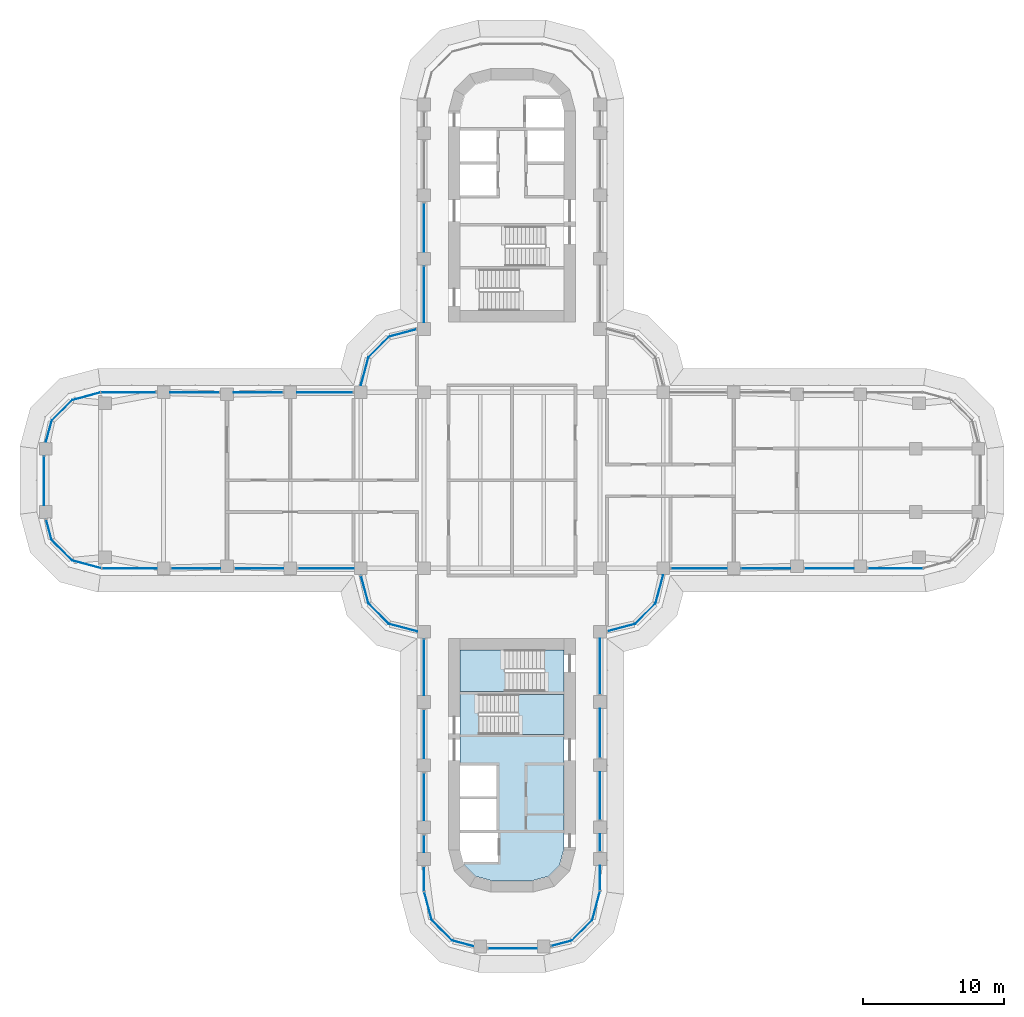
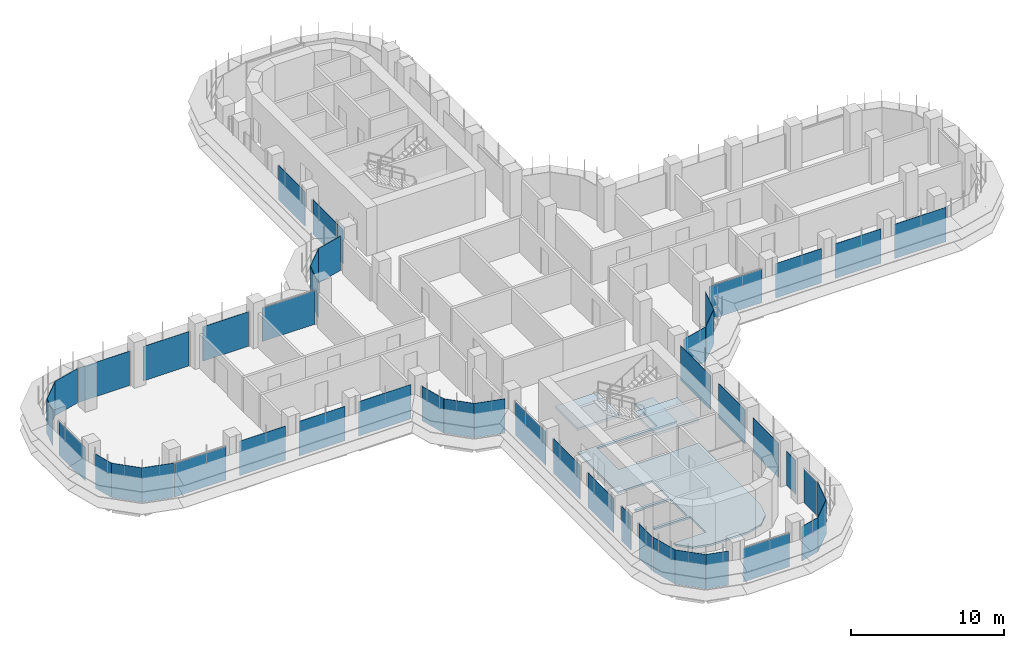
# One storey, part 12 of 22: 47 plates, 3 slabs, 31 elements without a shape of their own.
"""IFC4 building model written with IfcOpenShell, lengths in metres."""

from ifc_helpers import new_model, si_unit, direction, frame, origin, place, context, subcontext, project, spatial, polyline, outline, extrude, source, transform, mapped, material, layer, layer_set, type_object, element, aggregate, save


model = new_model("IFC4")

# Units and contexts
model_context = context("Model", 3, precision=1e-05, world=origin(), true_north=direction((0.0, 1.0)))
body_context = subcontext(model_context, "Body", "Model", "MODEL_VIEW")
ifc_project = project(units=[si_unit("LENGTHUNIT", "METRE"), si_unit("AREAUNIT", "SQUARE_METRE"), si_unit("VOLUMEUNIT", "CUBIC_METRE"), si_unit("PLANEANGLEUNIT", "RADIAN"), si_unit("MASSUNIT", "GRAM", prefix="KILO")], contexts=[model_context])

# Site, building, storey
site_placement = place(None, origin())
site = spatial("IfcSite", under=ifc_project, at=site_placement, CompositionType="ELEMENT")
building_placement = place(site_placement, origin())
building = spatial("IfcBuilding", under=site, at=building_placement, Name="Zarbagh Exchange Tower", CompositionType="ELEMENT")
storey_placement = place(building_placement, frame((0.0, 0.0, 113.199951171875)))
storey = spatial("IfcBuildingStorey", under=building, at=storey_placement, Name="L26", CompositionType="ELEMENT", Elevation=113.199951171875)

# Slab
ifc_material_1 = material(Name="Concrete C40/50", Category="concrete")
ifc_layer_1 = layer(ifc_material_1, 0.14990234375)
ifc_layer_set_1 = layer_set([ifc_layer_1], Name="Core floor slab 150 C40/50")
slab_type_1 = type_object("IfcSlabType", Name="Core floor slab 150 C40/50", PredefinedType="FLOOR", material=ifc_layer_set_1)
slab_1_placement = place(storey_placement, frame((0.0, 0.0, -0.14990234375)))
element("IfcSlab", 1, at=slab_1_placement, inside=storey, type_object=slab_type_1, Name="S17 core S", PredefinedType="FLOOR", context=body_context, shape_type="SweptSolid", body=[
    extrude(outline(polyline([(-2.5859375, -28.130859375), (-3.380859375, -27.3359375), (-3.646484375, -26.3447265625), (-3.444091796875, -27.10009765625), (-1.0, -27.10009765625), (-1.0, -25.050048828125), (-3.699951171875, -25.050048828125), (-3.699951171875, -24.85009765625), (-1.10009765625, -24.85009765625), (-1.10009765625, -22.64990234375), (-3.699951171875, -22.64990234375), (-3.699951171875, -22.449951171875), (-1.10009765625, -22.449951171875), (-1.10009765625, -20.25), (-3.699951171875, -20.25), (-3.699951171875, -15.0), (2.300048828125, -15.0), (2.300048828125, -12.050048828125), (3.699951171875, -12.050048828125), (3.699951171875, -15.199951171875), (-2.35009765625, -15.199951171875), (-2.35009765625, -18.050048828125), (3.699951171875, -18.050048828125), (3.699951171875, -26.144775390625), (3.380859375, -27.3359375), (2.5859375, -28.130859375), (1.394775390625, -28.449951171875), (-1.394775390625, -28.449951171875), (-2.5859375, -28.130859375)])), origin(), (0.0, 0.0, 1.0), 0.14990234375),
])

# Stair, slab
stair_type = type_object("IfcStairType", Name="Exit stair two-flight half-turn", PredefinedType="HALF_TURN_STAIR", material=ifc_material_1)
stair_1_placement = place(storey_placement, origin())
stair_1 = element("IfcStair", 2, at=stair_1_placement, inside=storey, type_object=stair_type, Name="exit stair ST3", PredefinedType="HALF_TURN_STAIR")
ifc_layer_2 = layer(ifc_material_1, 0.199951171875)
ifc_layer_set_2 = layer_set([ifc_layer_2], Name="Stair landing 200 mm")
slab_type_2 = type_object("IfcSlabType", Name="Stair landing 200 mm", PredefinedType="LANDING", material=ifc_layer_set_2)
slab_2_placement = place(storey_placement, frame((0.0, 0.0, 1.699951171875)))
slab_2 = element("IfcSlab", 3, at=slab_2_placement, type_object=slab_type_2, Name="ST3 landing 1", PredefinedType="LANDING", context=body_context, shape_type="SweptSolid", body=[
    extrude(outline(polyline([(0.449951171875, -18.050048828125), (3.699951171875, -18.050048828125), (3.699951171875, -15.199951171875), (0.449951171875, -15.199951171875), (0.449951171875, -18.050048828125)])), origin(), (0.0, 0.0, 1.0), 0.2001953125),
])
aggregate(stair_1, [slab_2])

stair_2_placement = place(storey_placement, origin())
stair_2 = element("IfcStair", 4, at=stair_2_placement, inside=storey, type_object=stair_type, Name="exit stair ST4", PredefinedType="HALF_TURN_STAIR")
slab_3_placement = place(storey_placement, frame((0.0, 0.0, 1.699951171875)))
slab_3 = element("IfcSlab", 5, at=slab_3_placement, type_object=slab_type_2, Name="ST4 landing 1", PredefinedType="LANDING", context=body_context, shape_type="SweptSolid", body=[
    extrude(outline(polyline([(-0.5, -12.050048828125), (-3.699951171875, -12.050048828125), (-3.699951171875, -15.0), (-0.5, -15.0), (-0.5, -12.050048828125)])), origin(), (0.0, 0.0, 1.0), 0.2001953125),
])
aggregate(stair_2, [slab_3])

# Curtain wall, plate
ifc_material_2 = material(Name="Anodised aluminium frame and glazing", Category="aluminium")
curtain_wall_type = type_object("IfcCurtainWallType", Name="CWA Ribbon glazing, lower zones", PredefinedType="NOTDEFINED", material=ifc_material_2)
curtain_wall_1_placement = place(storey_placement, origin())
curtain_wall_1 = element("IfcCurtainWall", 6, at=curtain_wall_1_placement, inside=storey, type_object=curtain_wall_type, Name="CWA01 curtain wall", PredefinedType="NOTDEFINED")
ifc_material_3 = material(Name="Low-e double glazed unit, 6+12+6 mm")
ifc_layer_3 = layer(ifc_material_3, 0.028076171875)
ifc_layer_set_3 = layer_set([ifc_layer_3], Name="PAA Glazing panel, Low-e double glazed unit, 6+12+6 mm")
plate_type = type_object("IfcPlateType", Name="PAA Glazing panel, Low-e double glazed unit, 6+12+6 mm", PredefinedType="CURTAIN_PANEL", material=ifc_layer_set_3)
shared_shape_1 = source(origin(), body_context, "Body", "SweptSolid", [
    extrude(outline(polyline([(0.0, -0.013916015625), (1.494140625, -0.013916015625), (1.494140625, 0.013916015625), (0.0, 0.013916015625), (0.0, -0.013916015625)])), origin(), (0.0, 0.0, 1.0), 2.75),
])
placement = place(storey_placement, origin())
plate_1 = element("IfcPlate", 7, at=placement, type_object=plate_type, Name="CWA01 glazing panel 1.1", PredefinedType="CURTAIN_PANEL", context=body_context, shape_type="MappedRepresentation", body=[
    mapped(shared_shape_1, transform((2.7978515625, -33.08544921875, 0.0), x_axis=(0.965924289636, 0.258824779902, 0.0), y_axis=(-0.258824779902, 0.965924289636, 0.0), z_axis=(0.0, 0.0, 1.0))),
])
aggregate(curtain_wall_1, [plate_1])

curtain_wall_2_placement = place(storey_placement, origin())
curtain_wall_2 = element("IfcCurtainWall", 8, at=curtain_wall_2_placement, inside=storey, type_object=curtain_wall_type, Name="CWA37 curtain wall", PredefinedType="NOTDEFINED")
plate_2 = element("IfcPlate", 9, at=placement, type_object=plate_type, Name="CWA37 glazing panel 1.1", PredefinedType="CURTAIN_PANEL", context=body_context, shape_type="MappedRepresentation", body=[
    mapped(shared_shape_1, transform((-33.08544921875, -2.7978515625, 0.0), x_axis=(0.258824779902, -0.965924289636, 0.0), y_axis=(0.965924289636, 0.258824779902, 0.0), z_axis=(0.0, 0.0, 1.0))),
])
aggregate(curtain_wall_2, [plate_2])

curtain_wall_3_placement = place(storey_placement, origin())
curtain_wall_3 = element("IfcCurtainWall", 10, at=curtain_wall_3_placement, inside=storey, type_object=curtain_wall_type, Name="CWA02 curtain wall", PredefinedType="NOTDEFINED")
shared_shape_2 = source(origin(), body_context, "Body", "SweptSolid", [
    extrude(outline(polyline([(0.0, -0.013916015625), (2.061279296875, -0.013916015625), (2.061279296875, 0.013916015625), (0.0, 0.013916015625), (0.0, -0.013916015625)])), origin(), (0.0, 0.0, 1.0), 2.75),
])
plate_3 = element("IfcPlate", 11, at=placement, type_object=plate_type, Name="CWA02 glazing panel 1.1", PredefinedType="CURTAIN_PANEL", context=body_context, shape_type="MappedRepresentation", body=[
    mapped(shared_shape_2, transform((4.2412109375, -32.69873046875, 0.0), x_axis=(0.707106781187, 0.707106781187, 0.0), y_axis=(-0.707106781187, 0.707106781187, 0.0), z_axis=(0.0, 0.0, 1.0))),
])
aggregate(curtain_wall_3, [plate_3])

curtain_wall_4_placement = place(storey_placement, origin())
curtain_wall_4 = element("IfcCurtainWall", 12, at=curtain_wall_4_placement, inside=storey, type_object=curtain_wall_type, Name="CWA06 curtain wall", PredefinedType="NOTDEFINED")
plate_4 = element("IfcPlate", 13, at=placement, type_object=plate_type, Name="CWA06 glazing panel 1.1", PredefinedType="CURTAIN_PANEL", context=body_context, shape_type="MappedRepresentation", body=[
    mapped(shared_shape_2, transform((8.7412109375, -10.19873046875, 0.0), x_axis=(0.707106781187, 0.707106781187, 0.0), y_axis=(-0.707106781187, 0.707106781187, 0.0), z_axis=(0.0, 0.0, 1.0))),
])
aggregate(curtain_wall_4, [plate_4])

curtain_wall_5_placement = place(storey_placement, origin())
curtain_wall_5 = element("IfcCurtainWall", 14, at=curtain_wall_5_placement, inside=storey, type_object=curtain_wall_type, Name="CWA30 curtain wall", PredefinedType="NOTDEFINED")
plate_5 = element("IfcPlate", 15, at=placement, type_object=plate_type, Name="CWA30 glazing panel 1.1", PredefinedType="CURTAIN_PANEL", context=body_context, shape_type="MappedRepresentation", body=[
    mapped(shared_shape_2, transform((-8.7412109375, 10.19873046875, 0.0), x_axis=(-0.707106781187, -0.707106781187, 0.0), y_axis=(0.707106781187, -0.707106781187, 0.0), z_axis=(0.0, 0.0, 1.0))),
])
aggregate(curtain_wall_5, [plate_5])

curtain_wall_6_placement = place(storey_placement, origin())
curtain_wall_6 = element("IfcCurtainWall", 16, at=curtain_wall_6_placement, inside=storey, type_object=curtain_wall_type, Name="CWA34 curtain wall", PredefinedType="NOTDEFINED")
plate_6 = element("IfcPlate", 17, at=placement, type_object=plate_type, Name="CWA34 glazing panel 1.1", PredefinedType="CURTAIN_PANEL", context=body_context, shape_type="MappedRepresentation", body=[
    mapped(shared_shape_2, transform((-31.2412109375, 5.69873046875, 0.0), x_axis=(-0.707106781187, -0.707106781187, 0.0), y_axis=(0.707106781187, -0.707106781187, 0.0), z_axis=(0.0, 0.0, 1.0))),
])
aggregate(curtain_wall_6, [plate_6])

curtain_wall_7_placement = place(storey_placement, origin())
curtain_wall_7 = element("IfcCurtainWall", 18, at=curtain_wall_7_placement, inside=storey, type_object=curtain_wall_type, Name="CWA38 curtain wall", PredefinedType="NOTDEFINED")
plate_7 = element("IfcPlate", 19, at=placement, type_object=plate_type, Name="CWA38 glazing panel 1.1", PredefinedType="CURTAIN_PANEL", context=body_context, shape_type="MappedRepresentation", body=[
    mapped(shared_shape_2, transform((-32.69873046875, -4.2412109375, 0.0), x_axis=(0.707106781187, -0.707106781187, 0.0), y_axis=(0.707106781187, 0.707106781187, 0.0), z_axis=(0.0, 0.0, 1.0))),
])
aggregate(curtain_wall_7, [plate_7])

curtain_wall_8_placement = place(storey_placement, origin())
curtain_wall_8 = element("IfcCurtainWall", 20, at=curtain_wall_8_placement, inside=storey, type_object=curtain_wall_type, Name="CWA42 curtain wall", PredefinedType="NOTDEFINED")
plate_8 = element("IfcPlate", 21, at=placement, type_object=plate_type, Name="CWA42 glazing panel 1.1", PredefinedType="CURTAIN_PANEL", context=body_context, shape_type="MappedRepresentation", body=[
    mapped(shared_shape_2, transform((-10.19873046875, -8.7412109375, 0.0), x_axis=(0.707106781187, -0.707106781187, 0.0), y_axis=(0.707106781187, 0.707106781187, 0.0), z_axis=(0.0, 0.0, 1.0))),
])
aggregate(curtain_wall_8, [plate_8])

curtain_wall_9_placement = place(storey_placement, origin())
curtain_wall_9 = element("IfcCurtainWall", 22, at=curtain_wall_9_placement, inside=storey, type_object=curtain_wall_type, Name="CWA46 curtain wall", PredefinedType="NOTDEFINED")
plate_9 = element("IfcPlate", 23, at=placement, type_object=plate_type, Name="CWA46 glazing panel 1.1", PredefinedType="CURTAIN_PANEL", context=body_context, shape_type="MappedRepresentation", body=[
    mapped(shared_shape_2, transform((-5.69873046875, -31.2412109375, 0.0), x_axis=(0.707106781187, -0.707106781187, 0.0), y_axis=(0.707106781187, 0.707106781187, 0.0), z_axis=(0.0, 0.0, 1.0))),
])
aggregate(curtain_wall_9, [plate_9])

curtain_wall_10_placement = place(storey_placement, origin())
curtain_wall_10 = element("IfcCurtainWall", 24, at=curtain_wall_10_placement, inside=storey, type_object=curtain_wall_type, Name="CWA03 curtain wall", PredefinedType="NOTDEFINED")
shared_shape_3 = source(origin(), body_context, "Body", "SweptSolid", [
    extrude(outline(polyline([(0.0, -0.013916015625), (2.129638671875, -0.013916015625), (2.129638671875, 0.013916015625), (0.0, 0.013916015625), (0.0, -0.013916015625)])), origin(), (0.0, 0.0, 1.0), 2.75),
])
plate_10 = element("IfcPlate", 25, at=placement, type_object=plate_type, Name="CWA03 glazing panel 1.1", PredefinedType="CURTAIN_PANEL", context=body_context, shape_type="MappedRepresentation", body=[
    mapped(shared_shape_3, transform((5.69873046875, -31.2412109375, 0.0), x_axis=(0.258824779902, 0.965924289636, 0.0), y_axis=(-0.965924289636, 0.258824779902, 0.0), z_axis=(0.0, 0.0, 1.0))),
])
aggregate(curtain_wall_10, [plate_10])

curtain_wall_11_placement = place(storey_placement, origin())
curtain_wall_11 = element("IfcCurtainWall", 26, at=curtain_wall_11_placement, inside=storey, type_object=curtain_wall_type, Name="CWA39 curtain wall", PredefinedType="NOTDEFINED")
plate_11 = element("IfcPlate", 27, at=placement, type_object=plate_type, Name="CWA39 glazing panel 1.1", PredefinedType="CURTAIN_PANEL", context=body_context, shape_type="MappedRepresentation", body=[
    mapped(shared_shape_3, transform((-31.2412109375, -5.69873046875, 0.0), x_axis=(0.965924289636, -0.258824779902, 0.0), y_axis=(0.258824779902, 0.965924289636, 0.0), z_axis=(0.0, 0.0, 1.0))),
])
aggregate(curtain_wall_11, [plate_11])

# Curtain wall, plates
curtain_wall_12_placement = place(storey_placement, origin())
curtain_wall_12 = element("IfcCurtainWall", 28, at=curtain_wall_12_placement, inside=storey, type_object=curtain_wall_type, Name="CWA04 curtain wall", PredefinedType="NOTDEFINED")
shared_shape_4 = source(origin(), body_context, "Body", "SweptSolid", [
    extrude(outline(polyline([(0.0, -0.013916015625), (1.734130859375, -0.013916015625), (1.734130859375, 0.013916015625), (0.0, 0.013916015625), (0.0, -0.013916015625)])), origin(), (0.0, 0.0, 1.0), 2.68994140625),
])
plate_12 = element("IfcPlate", 29, at=placement, type_object=plate_type, Name="CWA04 glazing panel 1.1", PredefinedType="CURTAIN_PANEL", context=body_context, shape_type="MappedRepresentation", body=[
    mapped(shared_shape_4, transform((6.25, -29.124267578125, 0.0), x_axis=(0.0, 1.0, 0.0), y_axis=(-1.0, 0.0, 0.0), z_axis=(0.0, 0.0, 1.0))),
])
shared_shape_5 = source(origin(), body_context, "Body", "SweptSolid", [
    extrude(outline(polyline([(0.0, -0.013916015625), (1.2099609375, -0.013916015625), (1.2099609375, 0.013916015625), (0.0, 0.013916015625), (0.0, -0.013916015625)])), origin(), (0.0, 0.0, 1.0), 2.75),
])
plate_13 = element("IfcPlate", 30, at=placement, type_object=plate_type, Name="CWA04 glazing panel 2.1", PredefinedType="CURTAIN_PANEL", context=body_context, shape_type="MappedRepresentation", body=[
    mapped(shared_shape_5, transform((6.25, -26.349853515625, 0.0), x_axis=(0.0, 1.0, 0.0), y_axis=(-1.0, 0.0, 0.0), z_axis=(0.0, 0.0, 1.0))),
])

# Curtain wall, plate
curtain_wall_13_placement = place(storey_placement, origin())
curtain_wall_13 = element("IfcCurtainWall", 31, at=curtain_wall_13_placement, inside=storey, type_object=curtain_wall_type, Name="CWA44 curtain wall", PredefinedType="NOTDEFINED")
plate_14 = element("IfcPlate", 32, at=placement, type_object=plate_type, Name="CWA44 glazing panel 4.1", PredefinedType="CURTAIN_PANEL", context=body_context, shape_type="MappedRepresentation", body=[
    mapped(shared_shape_5, transform((-6.25, -25.199951171875, 0.0), x_axis=(0.0, -1.0, 0.0), y_axis=(1.0, 0.0, 0.0), z_axis=(0.0, 0.0, 1.0))),
])

# Plate
shared_shape_6 = source(origin(), body_context, "Body", "SweptSolid", [
    extrude(outline(polyline([(0.0, -0.013916015625), (3.360107421875, -0.013916015625), (3.360107421875, 0.013916015625), (0.0, 0.013916015625), (0.0, -0.013916015625)])), origin(), (0.0, 0.0, 1.0), 2.75),
])
plate_15 = element("IfcPlate", 33, at=placement, type_object=plate_type, Name="CWA04 glazing panel 3.1", PredefinedType="CURTAIN_PANEL", context=body_context, shape_type="MappedRepresentation", body=[
    mapped(shared_shape_6, transform((6.25, -24.099853515625, 0.0), x_axis=(0.0, 1.0, 0.0), y_axis=(-1.0, 0.0, 0.0), z_axis=(0.0, 0.0, 1.0))),
])

plate_16 = element("IfcPlate", 34, at=placement, type_object=plate_type, Name="CWA44 glazing panel 3.1", PredefinedType="CURTAIN_PANEL", context=body_context, shape_type="MappedRepresentation", body=[
    mapped(shared_shape_6, transform((-6.25, -20.800048828125, 0.0), x_axis=(0.0, -1.0, 0.0), y_axis=(1.0, 0.0, 0.0), z_axis=(0.0, 0.0, 1.0))),
])

shared_shape_7 = source(origin(), body_context, "Body", "SweptSolid", [
    extrude(outline(polyline([(0.0, -0.013916015625), (3.4599609375, -0.013916015625), (3.4599609375, 0.013916015625), (0.0, 0.013916015625), (0.0, -0.013916015625)])), origin(), (0.0, 0.0, 1.0), 2.75),
])
plate_17 = element("IfcPlate", 35, at=placement, type_object=plate_type, Name="CWA04 glazing panel 4.1", PredefinedType="CURTAIN_PANEL", context=body_context, shape_type="MappedRepresentation", body=[
    mapped(shared_shape_7, transform((6.25, -19.699951171875, 0.0), x_axis=(0.0, 1.0, 0.0), y_axis=(-1.0, 0.0, 0.0), z_axis=(0.0, 0.0, 1.0))),
])

# Curtain wall, plates
curtain_wall_14_placement = place(storey_placement, origin())
curtain_wall_14 = element("IfcCurtainWall", 36, at=curtain_wall_14_placement, inside=storey, type_object=curtain_wall_type, Name="CWA08 curtain wall", PredefinedType="NOTDEFINED")
plate_18 = element("IfcPlate", 37, at=placement, type_object=plate_type, Name="CWA08 glazing panel 2.1", PredefinedType="CURTAIN_PANEL", context=body_context, shape_type="MappedRepresentation", body=[
    mapped(shared_shape_7, transform((16.300048828125, -6.25, 0.0), x_axis=(1.0, 0.0, 0.0), y_axis=(0.0, 1.0, 0.0), z_axis=(0.0, 0.0, 1.0))),
])
plate_19 = element("IfcPlate", 38, at=placement, type_object=plate_type, Name="CWA08 glazing panel 3.1", PredefinedType="CURTAIN_PANEL", context=body_context, shape_type="MappedRepresentation", body=[
    mapped(shared_shape_7, transform((20.800048828125, -6.25, 0.0), x_axis=(1.0, 0.0, 0.0), y_axis=(0.0, 1.0, 0.0), z_axis=(0.0, 0.0, 1.0))),
])

# Curtain wall, plate
curtain_wall_15_placement = place(storey_placement, origin())
curtain_wall_15 = element("IfcCurtainWall", 39, at=curtain_wall_15_placement, inside=storey, type_object=curtain_wall_type, Name="CWA56 curtain wall", PredefinedType="NOTDEFINED")
plate_20 = element("IfcPlate", 40, at=placement, type_object=plate_type, Name="CWA56 glazing panel 3.1", PredefinedType="CURTAIN_PANEL", context=body_context, shape_type="MappedRepresentation", body=[
    mapped(shared_shape_7, transform((-6.25, 19.699951171875, 0.0), x_axis=(0.0, -1.0, 0.0), y_axis=(1.0, 0.0, 0.0), z_axis=(0.0, 0.0, 1.0))),
])

# Curtain wall, plates
curtain_wall_16_placement = place(storey_placement, origin())
curtain_wall_16 = element("IfcCurtainWall", 41, at=curtain_wall_16_placement, inside=storey, type_object=curtain_wall_type, Name="CWA32 curtain wall", PredefinedType="NOTDEFINED")
plate_21 = element("IfcPlate", 42, at=placement, type_object=plate_type, Name="CWA32 glazing panel 2.1", PredefinedType="CURTAIN_PANEL", context=body_context, shape_type="MappedRepresentation", body=[
    mapped(shared_shape_7, transform((-16.300048828125, 6.25, 0.0), x_axis=(-1.0, 0.0, 0.0), y_axis=(0.0, -1.0, 0.0), z_axis=(0.0, 0.0, 1.0))),
])
plate_22 = element("IfcPlate", 43, at=placement, type_object=plate_type, Name="CWA32 glazing panel 3.1", PredefinedType="CURTAIN_PANEL", context=body_context, shape_type="MappedRepresentation", body=[
    mapped(shared_shape_7, transform((-20.800048828125, 6.25, 0.0), x_axis=(-1.0, 0.0, 0.0), y_axis=(0.0, -1.0, 0.0), z_axis=(0.0, 0.0, 1.0))),
])

curtain_wall_17_placement = place(storey_placement, origin())
curtain_wall_17 = element("IfcCurtainWall", 44, at=curtain_wall_17_placement, inside=storey, type_object=curtain_wall_type, Name="CWA40 curtain wall", PredefinedType="NOTDEFINED")
plate_23 = element("IfcPlate", 45, at=placement, type_object=plate_type, Name="CWA40 glazing panel 2.1", PredefinedType="CURTAIN_PANEL", context=body_context, shape_type="MappedRepresentation", body=[
    mapped(shared_shape_7, transform((-24.199951171875, -6.25, 0.0), x_axis=(1.0, 0.0, 0.0), y_axis=(0.0, 1.0, 0.0), z_axis=(0.0, 0.0, 1.0))),
])
plate_24 = element("IfcPlate", 46, at=placement, type_object=plate_type, Name="CWA40 glazing panel 3.1", PredefinedType="CURTAIN_PANEL", context=body_context, shape_type="MappedRepresentation", body=[
    mapped(shared_shape_7, transform((-19.699951171875, -6.25, 0.0), x_axis=(1.0, 0.0, 0.0), y_axis=(0.0, 1.0, 0.0), z_axis=(0.0, 0.0, 1.0))),
])

# Plate
plate_25 = element("IfcPlate", 47, at=placement, type_object=plate_type, Name="CWA44 glazing panel 2.1", PredefinedType="CURTAIN_PANEL", context=body_context, shape_type="MappedRepresentation", body=[
    mapped(shared_shape_7, transform((-6.25, -16.300048828125, 0.0), x_axis=(0.0, -1.0, 0.0), y_axis=(1.0, 0.0, 0.0), z_axis=(0.0, 0.0, 1.0))),
])

shared_shape_8 = source(origin(), body_context, "Body", "SweptSolid", [
    extrude(outline(polyline([(0.0, -0.013916015625), (3.9599609375, -0.013916015625), (3.9599609375, 0.013916015625), (0.0, 0.013916015625), (0.0, -0.013916015625)])), origin(), (0.0, 0.0, 1.0), 2.75),
])
plate_26 = element("IfcPlate", 48, at=placement, type_object=plate_type, Name="CWA04 glazing panel 5.1", PredefinedType="CURTAIN_PANEL", context=body_context, shape_type="MappedRepresentation", body=[
    mapped(shared_shape_8, transform((6.25, -15.199951171875, 0.0), x_axis=(0.0, 1.0, 0.0), y_axis=(-1.0, 0.0, 0.0), z_axis=(0.0, 0.0, 1.0))),
])

aggregate(curtain_wall_12, [plate_12, plate_13, plate_15, plate_17, plate_26])

plate_27 = element("IfcPlate", 49, at=placement, type_object=plate_type, Name="CWA56 glazing panel 4.1", PredefinedType="CURTAIN_PANEL", context=body_context, shape_type="MappedRepresentation", body=[
    mapped(shared_shape_8, transform((-6.25, 15.199951171875, 0.0), x_axis=(0.0, -1.0, 0.0), y_axis=(1.0, 0.0, 0.0), z_axis=(0.0, 0.0, 1.0))),
])

aggregate(curtain_wall_15, [plate_20, plate_27])

plate_28 = element("IfcPlate", 50, at=placement, type_object=plate_type, Name="CWA40 glazing panel 4.1", PredefinedType="CURTAIN_PANEL", context=body_context, shape_type="MappedRepresentation", body=[
    mapped(shared_shape_8, transform((-15.199951171875, -6.25, 0.0), x_axis=(1.0, 0.0, 0.0), y_axis=(0.0, 1.0, 0.0), z_axis=(0.0, 0.0, 1.0))),
])

# Curtain wall, plate
curtain_wall_18_placement = place(storey_placement, origin())
curtain_wall_18 = element("IfcCurtainWall", 51, at=curtain_wall_18_placement, inside=storey, type_object=curtain_wall_type, Name="CWA05 curtain wall", PredefinedType="NOTDEFINED")
shared_shape_9 = source(origin(), body_context, "Body", "SweptSolid", [
    extrude(outline(polyline([(0.0, -0.013916015625), (2.01171875, -0.013916015625), (2.01171875, 0.013916015625), (0.0, 0.013916015625), (0.0, -0.013916015625)])), origin(), (0.0, 0.0, 1.0), 2.75),
])
plate_29 = element("IfcPlate", 52, at=placement, type_object=plate_type, Name="CWA05 glazing panel 1.1", PredefinedType="CURTAIN_PANEL", context=body_context, shape_type="MappedRepresentation", body=[
    mapped(shared_shape_9, transform((6.7978515625, -10.719482421875, 0.0), x_axis=(0.965924289636, 0.258824779902, 0.0), y_axis=(-0.258824779902, 0.965924289636, 0.0), z_axis=(0.0, 0.0, 1.0))),
])
aggregate(curtain_wall_18, [plate_29])

curtain_wall_19_placement = place(storey_placement, origin())
curtain_wall_19 = element("IfcCurtainWall", 53, at=curtain_wall_19_placement, inside=storey, type_object=curtain_wall_type, Name="CWA29 curtain wall", PredefinedType="NOTDEFINED")
plate_30 = element("IfcPlate", 54, at=placement, type_object=plate_type, Name="CWA29 glazing panel 1.1", PredefinedType="CURTAIN_PANEL", context=body_context, shape_type="MappedRepresentation", body=[
    mapped(shared_shape_9, transform((-6.7978515625, 10.719482421875, 0.0), x_axis=(-0.965924289636, -0.258824779902, 0.0), y_axis=(0.258824779902, -0.965924289636, 0.0), z_axis=(0.0, 0.0, 1.0))),
])
aggregate(curtain_wall_19, [plate_30])

curtain_wall_20_placement = place(storey_placement, origin())
curtain_wall_20 = element("IfcCurtainWall", 55, at=curtain_wall_20_placement, inside=storey, type_object=curtain_wall_type, Name="CWA41 curtain wall", PredefinedType="NOTDEFINED")
plate_31 = element("IfcPlate", 56, at=placement, type_object=plate_type, Name="CWA41 glazing panel 1.1", PredefinedType="CURTAIN_PANEL", context=body_context, shape_type="MappedRepresentation", body=[
    mapped(shared_shape_9, transform((-10.719482421875, -6.7978515625, 0.0), x_axis=(0.258824779902, -0.965924289636, 0.0), y_axis=(0.965924289636, 0.258824779902, 0.0), z_axis=(0.0, 0.0, 1.0))),
])
aggregate(curtain_wall_20, [plate_31])

curtain_wall_21_placement = place(storey_placement, origin())
curtain_wall_21 = element("IfcCurtainWall", 57, at=curtain_wall_21_placement, inside=storey, type_object=curtain_wall_type, Name="CWA07 curtain wall", PredefinedType="NOTDEFINED")
shared_shape_10 = source(origin(), body_context, "Body", "SweptSolid", [
    extrude(outline(polyline([(0.0, -0.013916015625), (2.07177734375, -0.013916015625), (2.07177734375, 0.013916015625), (0.0, 0.013916015625), (0.0, -0.013916015625)])), origin(), (0.0, 0.0, 1.0), 2.75),
])
plate_32 = element("IfcPlate", 58, at=placement, type_object=plate_type, Name="CWA07 glazing panel 1.1", PredefinedType="CURTAIN_PANEL", context=body_context, shape_type="MappedRepresentation", body=[
    mapped(shared_shape_10, transform((10.19873046875, -8.7412109375, 0.0), x_axis=(0.258824779902, 0.965924289636, 0.0), y_axis=(-0.965924289636, 0.258824779902, 0.0), z_axis=(0.0, 0.0, 1.0))),
])
aggregate(curtain_wall_21, [plate_32])

curtain_wall_22_placement = place(storey_placement, origin())
curtain_wall_22 = element("IfcCurtainWall", 59, at=curtain_wall_22_placement, inside=storey, type_object=curtain_wall_type, Name="CWA31 curtain wall", PredefinedType="NOTDEFINED")
plate_33 = element("IfcPlate", 60, at=placement, type_object=plate_type, Name="CWA31 glazing panel 1.1", PredefinedType="CURTAIN_PANEL", context=body_context, shape_type="MappedRepresentation", body=[
    mapped(shared_shape_10, transform((-10.19873046875, 8.7412109375, 0.0), x_axis=(-0.258824779902, -0.965924289636, 0.0), y_axis=(0.965924289636, -0.258824779902, 0.0), z_axis=(0.0, 0.0, 1.0))),
])
aggregate(curtain_wall_22, [plate_33])

curtain_wall_23_placement = place(storey_placement, origin())
curtain_wall_23 = element("IfcCurtainWall", 61, at=curtain_wall_23_placement, inside=storey, type_object=curtain_wall_type, Name="CWA43 curtain wall", PredefinedType="NOTDEFINED")
plate_34 = element("IfcPlate", 62, at=placement, type_object=plate_type, Name="CWA43 glazing panel 1.1", PredefinedType="CURTAIN_PANEL", context=body_context, shape_type="MappedRepresentation", body=[
    mapped(shared_shape_10, transform((-8.7412109375, -10.19873046875, 0.0), x_axis=(0.965924289636, -0.258824779902, 0.0), y_axis=(0.258824779902, 0.965924289636, 0.0), z_axis=(0.0, 0.0, 1.0))),
])
aggregate(curtain_wall_23, [plate_34])

# Plate
shared_shape_11 = source(origin(), body_context, "Body", "SweptSolid", [
    extrude(outline(polyline([(0.0, -0.013916015625), (3.9599609375, -0.013916015625), (3.9599609375, 0.013916015625), (0.0, 0.013916015625), (0.0, -0.013916015625)])), origin(), (0.0, 0.0, 1.0), 2.68994140625),
])
plate_35 = element("IfcPlate", 63, at=placement, type_object=plate_type, Name="CWA08 glazing panel 1.1", PredefinedType="CURTAIN_PANEL", context=body_context, shape_type="MappedRepresentation", body=[
    mapped(shared_shape_11, transform((11.300048828125, -6.25, 0.0), x_axis=(1.0, 0.0, 0.0), y_axis=(0.0, 1.0, 0.0), z_axis=(0.0, 0.0, 1.0))),
])

plate_36 = element("IfcPlate", 64, at=placement, type_object=plate_type, Name="CWA32 glazing panel 1.1", PredefinedType="CURTAIN_PANEL", context=body_context, shape_type="MappedRepresentation", body=[
    mapped(shared_shape_11, transform((-11.300048828125, 6.25, 0.0), x_axis=(-1.0, 0.0, 0.0), y_axis=(0.0, -1.0, 0.0), z_axis=(0.0, 0.0, 1.0))),
])

plate_37 = element("IfcPlate", 65, at=placement, type_object=plate_type, Name="CWA44 glazing panel 1.1", PredefinedType="CURTAIN_PANEL", context=body_context, shape_type="MappedRepresentation", body=[
    mapped(shared_shape_11, transform((-6.25, -11.300048828125, 0.0), x_axis=(0.0, -1.0, 0.0), y_axis=(1.0, 0.0, 0.0), z_axis=(0.0, 0.0, 1.0))),
])

shared_shape_12 = source(origin(), body_context, "Body", "SweptSolid", [
    extrude(outline(polyline([(0.0, -0.013916015625), (3.884033203125, -0.013916015625), (3.884033203125, 0.013916015625), (0.0, 0.013916015625), (0.0, -0.013916015625)])), origin(), (0.0, 0.0, 1.0), 2.75),
])
plate_38 = element("IfcPlate", 66, at=placement, type_object=plate_type, Name="CWA08 glazing panel 4.1", PredefinedType="CURTAIN_PANEL", context=body_context, shape_type="MappedRepresentation", body=[
    mapped(shared_shape_12, transform((25.300048828125, -6.25, 0.0), x_axis=(1.0, 0.0, 0.0), y_axis=(0.0, 1.0, 0.0), z_axis=(0.0, 0.0, 1.0))),
])

aggregate(curtain_wall_14, [plate_35, plate_18, plate_19, plate_38])

plate_39 = element("IfcPlate", 67, at=placement, type_object=plate_type, Name="CWA32 glazing panel 4.1", PredefinedType="CURTAIN_PANEL", context=body_context, shape_type="MappedRepresentation", body=[
    mapped(shared_shape_12, transform((-25.300048828125, 6.25, 0.0), x_axis=(-1.0, 0.0, 0.0), y_axis=(0.0, -1.0, 0.0), z_axis=(0.0, 0.0, 1.0))),
])

aggregate(curtain_wall_16, [plate_36, plate_21, plate_22, plate_39])

# Curtain wall, plate
curtain_wall_24_placement = place(storey_placement, origin())
curtain_wall_24 = element("IfcCurtainWall", 68, at=curtain_wall_24_placement, inside=storey, type_object=curtain_wall_type, Name="CWA33 curtain wall", PredefinedType="NOTDEFINED")
shared_shape_13 = source(origin(), body_context, "Body", "SweptSolid", [
    extrude(outline(polyline([(0.0, -0.013916015625), (2.069580078125, -0.013916015625), (2.069580078125, 0.013916015625), (0.0, 0.013916015625), (0.0, -0.013916015625)])), origin(), (0.0, 0.0, 1.0), 2.75),
])
plate_40 = element("IfcPlate", 69, at=placement, type_object=plate_type, Name="CWA33 glazing panel 1.1", PredefinedType="CURTAIN_PANEL", context=body_context, shape_type="MappedRepresentation", body=[
    mapped(shared_shape_13, transform((-29.2421875, 6.234375, 0.0), x_axis=(-0.965924289636, -0.258824779902, 0.0), y_axis=(0.258824779902, -0.965924289636, 0.0), z_axis=(0.0, 0.0, 1.0))),
])
aggregate(curtain_wall_24, [plate_40])

curtain_wall_25_placement = place(storey_placement, origin())
curtain_wall_25 = element("IfcCurtainWall", 70, at=curtain_wall_25_placement, inside=storey, type_object=curtain_wall_type, Name="CWA45 curtain wall", PredefinedType="NOTDEFINED")
plate_41 = element("IfcPlate", 71, at=placement, type_object=plate_type, Name="CWA45 glazing panel 1.1", PredefinedType="CURTAIN_PANEL", context=body_context, shape_type="MappedRepresentation", body=[
    mapped(shared_shape_13, transform((-6.234375, -29.2421875, 0.0), x_axis=(0.258824779902, -0.965924289636, 0.0), y_axis=(0.965924289636, 0.258824779902, 0.0), z_axis=(0.0, 0.0, 1.0))),
])
aggregate(curtain_wall_25, [plate_41])

curtain_wall_26_placement = place(storey_placement, origin())
curtain_wall_26 = element("IfcCurtainWall", 72, at=curtain_wall_26_placement, inside=storey, type_object=curtain_wall_type, Name="CWA35 curtain wall", PredefinedType="NOTDEFINED")
shared_shape_14 = source(origin(), body_context, "Body", "SweptSolid", [
    extrude(outline(polyline([(0.0, -0.013916015625), (1.55419921875, -0.013916015625), (1.55419921875, 0.013916015625), (0.0, 0.013916015625), (0.0, -0.013916015625)])), origin(), (0.0, 0.0, 1.0), 2.75),
])
plate_42 = element("IfcPlate", 73, at=placement, type_object=plate_type, Name="CWA35 glazing panel 1.1", PredefinedType="CURTAIN_PANEL", context=body_context, shape_type="MappedRepresentation", body=[
    mapped(shared_shape_14, transform((-32.69873046875, 4.2412109375, 0.0), x_axis=(-0.258824779902, -0.965924289636, 0.0), y_axis=(0.965924289636, -0.258824779902, 0.0), z_axis=(0.0, 0.0, 1.0))),
])
aggregate(curtain_wall_26, [plate_42])

curtain_wall_27_placement = place(storey_placement, origin())
curtain_wall_27 = element("IfcCurtainWall", 74, at=curtain_wall_27_placement, inside=storey, type_object=curtain_wall_type, Name="CWA47 curtain wall", PredefinedType="NOTDEFINED")
plate_43 = element("IfcPlate", 75, at=placement, type_object=plate_type, Name="CWA47 glazing panel 1.1", PredefinedType="CURTAIN_PANEL", context=body_context, shape_type="MappedRepresentation", body=[
    mapped(shared_shape_14, transform((-4.2412109375, -32.69873046875, 0.0), x_axis=(0.965924289636, -0.258824779902, 0.0), y_axis=(0.258824779902, 0.965924289636, 0.0), z_axis=(0.0, 0.0, 1.0))),
])
aggregate(curtain_wall_27, [plate_43])

curtain_wall_28_placement = place(storey_placement, origin())
curtain_wall_28 = element("IfcCurtainWall", 76, at=curtain_wall_28_placement, inside=storey, type_object=curtain_wall_type, Name="CWA36 curtain wall", PredefinedType="NOTDEFINED")
shared_shape_15 = source(origin(), body_context, "Body", "SweptSolid", [
    extrude(outline(polyline([(0.0, -0.013916015625), (3.4599609375, -0.013916015625), (3.4599609375, 0.013916015625), (0.0, 0.013916015625), (0.0, -0.013916015625)])), origin(), (0.0, 0.0, 1.0), 2.68994140625),
])
plate_44 = element("IfcPlate", 77, at=placement, type_object=plate_type, Name="CWA36 glazing panel 1.1", PredefinedType="CURTAIN_PANEL", context=body_context, shape_type="MappedRepresentation", body=[
    mapped(shared_shape_15, transform((-33.25, 1.699951171875, 0.0), x_axis=(0.0, -1.0, 0.0), y_axis=(1.0, 0.0, 0.0), z_axis=(0.0, 0.0, 1.0))),
])
aggregate(curtain_wall_28, [plate_44])

curtain_wall_29_placement = place(storey_placement, origin())
curtain_wall_29 = element("IfcCurtainWall", 78, at=curtain_wall_29_placement, inside=storey, type_object=curtain_wall_type, Name="CWA48 curtain wall", PredefinedType="NOTDEFINED")
plate_45 = element("IfcPlate", 79, at=placement, type_object=plate_type, Name="CWA48 glazing panel 1.1", PredefinedType="CURTAIN_PANEL", context=body_context, shape_type="MappedRepresentation", body=[
    mapped(shared_shape_15, transform((-1.699951171875, -33.25, 0.0), x_axis=(1.0, 0.0, 0.0), y_axis=(0.0, 1.0, 0.0), z_axis=(0.0, 0.0, 1.0))),
])
aggregate(curtain_wall_29, [plate_45])

# Plate
shared_shape_16 = source(origin(), body_context, "Body", "SweptSolid", [
    extrude(outline(polyline([(0.0, -0.013916015625), (3.88427734375, -0.013916015625), (3.88427734375, 0.013916015625), (0.0, 0.013916015625), (0.0, -0.013916015625)])), origin(), (0.0, 0.0, 1.0), 2.68994140625),
])
plate_46 = element("IfcPlate", 80, at=placement, type_object=plate_type, Name="CWA40 glazing panel 1.1", PredefinedType="CURTAIN_PANEL", context=body_context, shape_type="MappedRepresentation", body=[
    mapped(shared_shape_16, transform((-29.124267578125, -6.25, 0.0), x_axis=(1.0, 0.0, 0.0), y_axis=(0.0, 1.0, 0.0), z_axis=(0.0, 0.0, 1.0))),
])

aggregate(curtain_wall_17, [plate_46, plate_23, plate_24, plate_28])

shared_shape_17 = source(origin(), body_context, "Body", "SweptSolid", [
    extrude(outline(polyline([(0.0, -0.013916015625), (1.734130859375, -0.013916015625), (1.734130859375, 0.013916015625), (0.0, 0.013916015625), (0.0, -0.013916015625)])), origin(), (0.0, 0.0, 1.0), 2.75),
])
plate_47 = element("IfcPlate", 81, at=placement, type_object=plate_type, Name="CWA44 glazing panel 5.1", PredefinedType="CURTAIN_PANEL", context=body_context, shape_type="MappedRepresentation", body=[
    mapped(shared_shape_17, transform((-6.25, -27.449951171875, 0.0), x_axis=(0.0, -1.0, 0.0), y_axis=(1.0, 0.0, 0.0), z_axis=(0.0, 0.0, 1.0))),
])

aggregate(curtain_wall_13, [plate_37, plate_25, plate_16, plate_14, plate_47])

save(model, "model.ifc")
